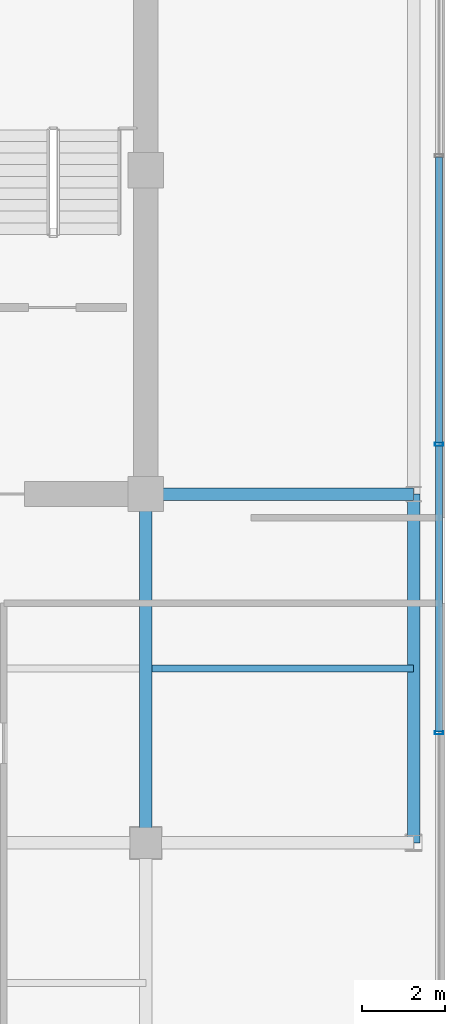
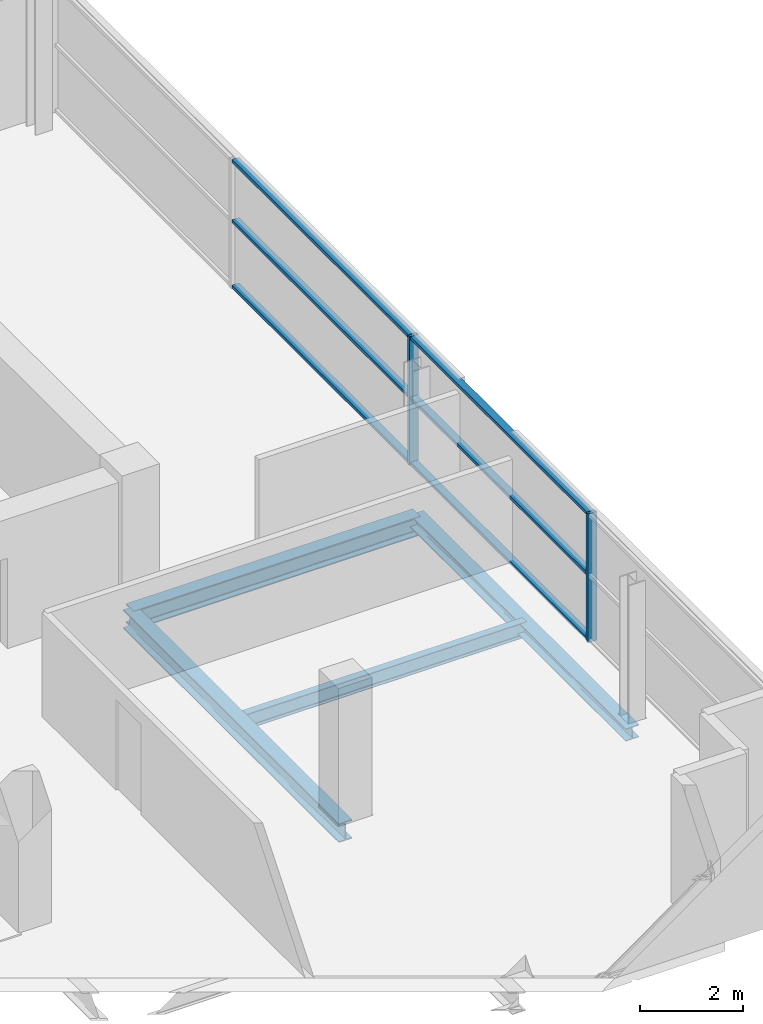
# One storey, part 13 of 28: 8 members, 4 beams, 1 element without a shape of its own.
"""IFC4 building model written with IfcOpenShell, lengths in metres."""

from ifc_helpers import new_model, si_unit, direction, frame, origin, origin_2d, place, context, subcontext, project, spatial, hollow_rectangle, i_section, extrude, source, transform, mapped, material, layer, layer_set, material_profile, profile_set, type_object, element, aggregate, save


model = new_model("IFC4")

# Units and contexts
model_context = context("Model", 3, precision=1e-05, world=origin(), true_north=direction((0.0, 1.0)))
body_context = subcontext(model_context, "Body", "Model", "MODEL_VIEW")
ifc_project = project(units=[si_unit("LENGTHUNIT", "METRE"), si_unit("AREAUNIT", "SQUARE_METRE"), si_unit("VOLUMEUNIT", "CUBIC_METRE"), si_unit("PLANEANGLEUNIT", "RADIAN"), si_unit("MASSUNIT", "GRAM", prefix="KILO")], contexts=[model_context])

# Site, building, storey
site_placement = place(None, origin())
site = spatial("IfcSite", under=ifc_project, at=site_placement, CompositionType="ELEMENT")
building_placement = place(site_placement, origin())
building = spatial("IfcBuilding", under=site, at=building_placement, Name="Zarnakvel Exchange Tower", CompositionType="ELEMENT")
storey_placement = place(building_placement, frame((0.0, 0.0, 268.300048828125)))
storey = spatial("IfcBuildingStorey", under=building, at=storey_placement, Name="L76", CompositionType="ELEMENT", Elevation=268.300048828125)

# Beams
ifc_material_1 = material(Name="Steel S355", Category="steel")
ifc_material_profile_1 = material_profile(ifc_material_1, i_section(OverallWidth=0.169921875, OverallDepth=0.360107421875, WebThickness=0.008056640625, FlangeThickness=0.0126953125, FilletRadius=0.01806640625, at=origin_2d()))
ifc_profile_set_1 = profile_set([ifc_material_profile_1], Name="Steel S355")
beam_type_1 = type_object("IfcBeamType", Name="B-07", PredefinedType="JOIST", material=ifc_profile_set_1)
beam_1_placement = place(storey_placement, frame((14.550048828125, -5.39990234375, -0.405029296875), z_axis=(1.0, 0.0, 0.0), x_axis=(0.0, 1.0, 0.0)))
element("IfcBeam", 1, at=beam_1_placement, inside=storey, type_object=beam_type_1, Name="L76 Composite Floor Secondary Joist", PredefinedType="JOIST", context=body_context, shape_type="SweptSolid", body=[
    extrude(i_section(OverallWidth=0.169921875, OverallDepth=0.360107421875, WebThickness=0.008056640625, FlangeThickness=0.0126953125, FilletRadius=0.01806640625, at=origin_2d()), origin(), (0.0, 0.0, 1.0), 6.300048828125),
])
ifc_material_profile_2 = material_profile(ifc_material_1, i_section(OverallWidth=0.300048828125, OverallDepth=0.449951171875, WebThickness=0.013916015625, FlangeThickness=0.02587890625, FilletRadius=0.027099609375, at=origin_2d()))
ifc_profile_set_2 = profile_set([ifc_material_profile_2], Name="Steel S355")
beam_type_2 = type_object("IfcBeamType", Name="G-07", PredefinedType="BEAM", material=ifc_profile_set_2)
beam_2_placement = place(storey_placement, frame((14.39990234375, -1.199951171875, -0.449951171875), z_axis=(1.0, 0.0, 0.0), x_axis=(0.0, 1.0, 0.0)))
element("IfcBeam", 2, at=beam_2_placement, inside=storey, type_object=beam_type_2, Name="L76 Tower E-W Frame Beam", PredefinedType="BEAM", context=body_context, shape_type="SweptSolid", body=[
    extrude(i_section(OverallWidth=0.300048828125, OverallDepth=0.449951171875, WebThickness=0.013916015625, FlangeThickness=0.02587890625, FilletRadius=0.027099609375, at=origin_2d()), origin(), (0.0, 0.0, 1.0), 6.4501953125),
])
beam_3_placement = place(storey_placement, frame((14.39990234375, -9.60009765625, -0.449951171875), z_axis=(0.0, 1.0, 0.0), x_axis=(-1.0, 0.0, 0.0)))
element("IfcBeam", 3, at=beam_3_placement, inside=storey, type_object=beam_type_2, Name="L76 Tower N-S Frame Beam", PredefinedType="BEAM", context=body_context, shape_type="SweptSolid", body=[
    extrude(i_section(OverallWidth=0.300048828125, OverallDepth=0.449951171875, WebThickness=0.013916015625, FlangeThickness=0.02587890625, FilletRadius=0.027099609375, at=origin_2d()), origin(), (0.0, 0.0, 1.0), 8.400146484375),
])
ifc_material_profile_3 = material_profile(ifc_material_1, i_section(OverallWidth=0.300048828125, OverallDepth=0.300048828125, WebThickness=0.010986328125, FlangeThickness=0.01904296875, FilletRadius=0.027099609375, at=origin_2d()))
ifc_profile_set_3 = profile_set([ifc_material_profile_3], Name="Steel S355")
beam_type_3 = type_object("IfcBeamType", Name="SP-03", PredefinedType="SPANDREL", material=ifc_profile_set_3)
beam_4_placement = place(storey_placement, frame((20.85009765625, -9.60009765625, -0.375), z_axis=(0.0, 1.0, 0.0), x_axis=(-1.0, 0.0, 0.0)))
element("IfcBeam", 4, at=beam_4_placement, inside=storey, type_object=beam_type_3, Name="L76 Tower N-S Frame Beam", PredefinedType="SPANDREL", context=body_context, shape_type="SweptSolid", body=[
    extrude(i_section(OverallWidth=0.300048828125, OverallDepth=0.300048828125, WebThickness=0.010986328125, FlangeThickness=0.01904296875, FilletRadius=0.027099609375, at=origin_2d()), origin(), (0.0, 0.0, 1.0), 8.400146484375),
])

# Curtain wall, members
ifc_material_2 = material(Name="Architectural Bronze Anodised Aluminium", Category="aluminium")
ifc_layer = layer(ifc_material_2, 0.199951171875)
ifc_layer_set = layer_set([ifc_layer], Name="Architectural Bronze Anodised Aluminium")
curtain_wall_type = type_object("IfcCurtainWallType", Name="CW-04", PredefinedType="NOTDEFINED", material=ifc_layer_set)
curtain_wall_placement = place(storey_placement, origin())
curtain_wall = element("IfcCurtainWall", 5, at=curtain_wall_placement, inside=storey, type_object=curtain_wall_type, Name="L76 Curtain Wall CW-L76-E1 (CW-04)", PredefinedType="NOTDEFINED")
ifc_material_profile_4 = material_profile(ifc_material_2, hollow_rectangle(XDim=0.159912109375, YDim=0.074951171875, WallThickness=0.00390625, at=origin_2d()))
ifc_profile_set_4 = profile_set([ifc_material_profile_4], Name="Architectural Bronze Anodised Aluminium")
member_type_1 = type_object("IfcMemberType", Name="CWT-04", PredefinedType="USERDEFINED", material=ifc_profile_set_4)
shared_shape_1 = source(origin(), body_context, "Body", "SweptSolid", [
    extrude(hollow_rectangle(XDim=0.159912109375, YDim=0.074951171875, WallThickness=0.00390625, at=origin_2d()), origin(), (0.0, 0.0, 1.0), 6.875),
])
member_1_placement = place(storey_placement, frame((21.4599609375, -6.91259765625, 0.037353515625), z_axis=(0.0, 1.0, 0.0), x_axis=(-1.0, 0.0, 0.0)))
member_1 = element("IfcMember", 6, at=member_1_placement, type_object=member_type_1, Name="CW-04 transom 2.1", ObjectType="TRANSOM", PredefinedType="USERDEFINED", context=body_context, shape_type="MappedRepresentation", body=[
    mapped(shared_shape_1, transform((0.0, 0.0, 0.0), x_axis=(1.0, 0.0, 0.0), y_axis=(0.0, 1.0, 0.0), z_axis=(0.0, 0.0, 1.0), scale=1.0)),
])
member_2_placement = place(storey_placement, frame((21.4599609375, -6.91259765625, 1.591064453125), z_axis=(0.0, 1.0, 0.0), x_axis=(-1.0, 0.0, 0.0)))
member_2 = element("IfcMember", 7, at=member_2_placement, type_object=member_type_1, Name="CW-04 transom 2.2", ObjectType="TRANSOM", PredefinedType="USERDEFINED", context=body_context, shape_type="MappedRepresentation", body=[
    mapped(shared_shape_1, transform((0.0, 0.0, 0.0), x_axis=(1.0, 0.0, 0.0), y_axis=(0.0, 1.0, 0.0), z_axis=(0.0, 0.0, 1.0), scale=1.0)),
])
member_3_placement = place(storey_placement, frame((21.4599609375, -6.91259765625, 3.0224609375), z_axis=(0.0, 1.0, 0.0), x_axis=(-1.0, 0.0, 0.0)))
member_3 = element("IfcMember", 8, at=member_3_placement, type_object=member_type_1, Name="CW-04 transom 2.3", ObjectType="TRANSOM", PredefinedType="USERDEFINED", context=body_context, shape_type="MappedRepresentation", body=[
    mapped(shared_shape_1, transform((0.0, 0.0, 0.0), x_axis=(1.0, 0.0, 0.0), y_axis=(0.0, 1.0, 0.0), z_axis=(0.0, 0.0, 1.0), scale=1.0)),
])
member_4_placement = place(storey_placement, frame((21.4599609375, 0.03759765625, 0.037353515625), z_axis=(0.0, 1.0, 0.0), x_axis=(-1.0, 0.0, 0.0)))
member_4 = element("IfcMember", 9, at=member_4_placement, type_object=member_type_1, Name="CW-04 transom 3.1", ObjectType="TRANSOM", PredefinedType="USERDEFINED", context=body_context, shape_type="MappedRepresentation", body=[
    mapped(shared_shape_1, transform((0.0, 0.0, 0.0), x_axis=(1.0, 0.0, 0.0), y_axis=(0.0, 1.0, 0.0), z_axis=(0.0, 0.0, 1.0), scale=1.0)),
])
member_5_placement = place(storey_placement, frame((21.4599609375, 0.03759765625, 1.591064453125), z_axis=(0.0, 1.0, 0.0), x_axis=(-1.0, 0.0, 0.0)))
member_5 = element("IfcMember", 10, at=member_5_placement, type_object=member_type_1, Name="CW-04 transom 3.2", ObjectType="TRANSOM", PredefinedType="USERDEFINED", context=body_context, shape_type="MappedRepresentation", body=[
    mapped(shared_shape_1, transform((0.0, 0.0, 0.0), x_axis=(1.0, 0.0, 0.0), y_axis=(0.0, 1.0, 0.0), z_axis=(0.0, 0.0, 1.0), scale=1.0)),
])
member_6_placement = place(storey_placement, frame((21.4599609375, 0.03759765625, 3.0224609375), z_axis=(0.0, 1.0, 0.0), x_axis=(-1.0, 0.0, 0.0)))
member_6 = element("IfcMember", 11, at=member_6_placement, type_object=member_type_1, Name="CW-04 transom 3.3", ObjectType="TRANSOM", PredefinedType="USERDEFINED", context=body_context, shape_type="MappedRepresentation", body=[
    mapped(shared_shape_1, transform((0.0, 0.0, 0.0), x_axis=(1.0, 0.0, 0.0), y_axis=(0.0, 1.0, 0.0), z_axis=(0.0, 0.0, 1.0), scale=1.0)),
])
ifc_material_profile_5 = material_profile(ifc_material_2, hollow_rectangle(XDim=0.199951171875, YDim=0.074951171875, WallThickness=0.0048828125, at=origin_2d()))
ifc_profile_set_5 = profile_set([ifc_material_profile_5], Name="Architectural Bronze Anodised Aluminium")
member_type_2 = type_object("IfcMemberType", Name="CWM-04", PredefinedType="MULLION", material=ifc_profile_set_5)
shared_shape_2 = source(origin(), body_context, "Body", "SweptSolid", [
    extrude(hollow_rectangle(XDim=0.199951171875, YDim=0.074951171875, WallThickness=0.0048828125, at=origin_2d()), origin(), (0.0, 0.0, 1.0), 3.06005859375),
])
member_7_placement = place(storey_placement, frame((21.4599609375, -6.949951171875, 0.0), z_axis=(0.0, 0.0, 1.0), x_axis=(-1.0, 0.0, 0.0)))
member_7 = element("IfcMember", 12, at=member_7_placement, type_object=member_type_2, Name="CW-04 mullion 2", PredefinedType="MULLION", context=body_context, shape_type="MappedRepresentation", body=[
    mapped(shared_shape_2, transform((0.0, 0.0, 0.0), x_axis=(1.0, 0.0, 0.0), y_axis=(0.0, 1.0, 0.0), z_axis=(0.0, 0.0, 1.0), scale=1.0)),
])
member_8_placement = place(storey_placement, frame((21.4599609375, 0.0, 0.0), z_axis=(0.0, 0.0, 1.0), x_axis=(-1.0, 0.0, 0.0)))
member_8 = element("IfcMember", 13, at=member_8_placement, type_object=member_type_2, Name="CW-04 mullion 3", PredefinedType="MULLION", context=body_context, shape_type="MappedRepresentation", body=[
    mapped(shared_shape_2, transform((0.0, 0.0, 0.0), x_axis=(1.0, 0.0, 0.0), y_axis=(0.0, 1.0, 0.0), z_axis=(0.0, 0.0, 1.0), scale=1.0)),
])
aggregate(curtain_wall, [member_7, member_8, member_1, member_2, member_3, member_4, member_5, member_6])

save(model, "model.ifc")
